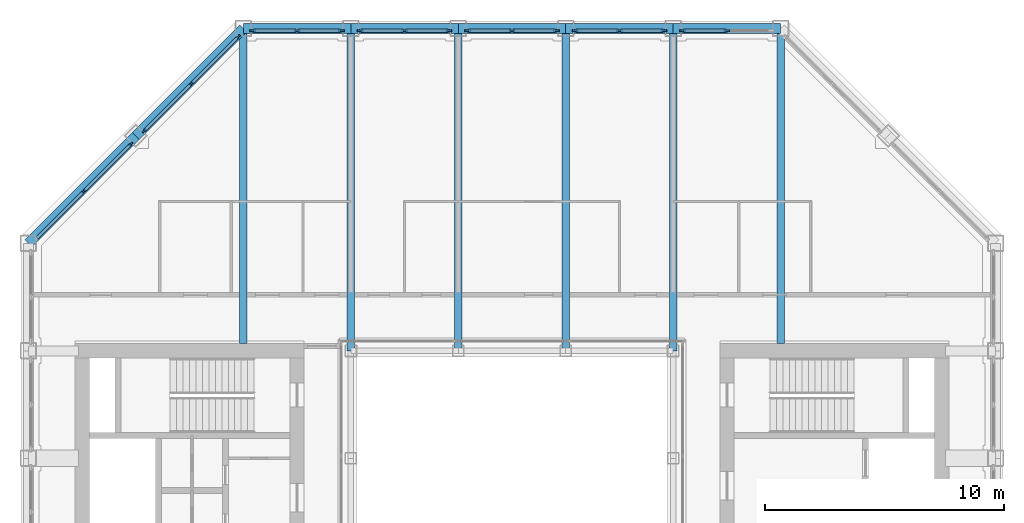
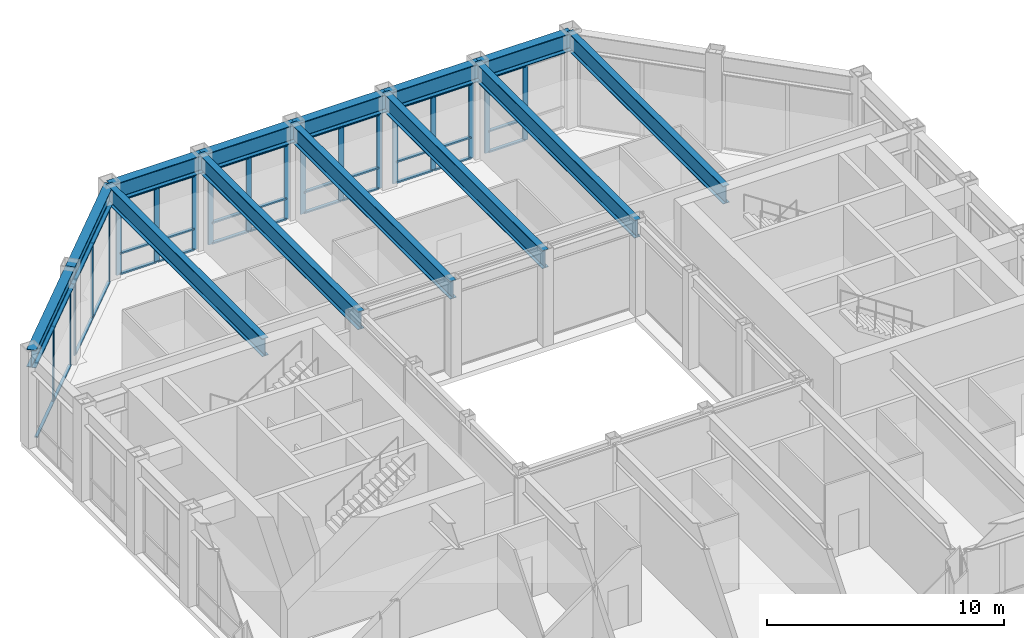
# One storey, part 7 of 15: 54 members, 13 beams, 7 elements without a shape of their own.
"""IFC4 building model written with IfcOpenShell, lengths in metres."""

from ifc_helpers import new_model, si_unit, direction, frame, origin, origin_2d, place, context, subcontext, project, spatial, rectangle, i_section, extrude, material, material_profile, profile_set, type_object, element, aggregate, save


model = new_model("IFC4")

# Units and contexts
model_context = context("Model", 3, precision=1e-05, world=origin(), true_north=direction((0.0, 1.0)))
body_context = subcontext(model_context, "Body", "Model", "MODEL_VIEW")
ifc_project = project(units=[si_unit("LENGTHUNIT", "METRE"), si_unit("AREAUNIT", "SQUARE_METRE"), si_unit("VOLUMEUNIT", "CUBIC_METRE"), si_unit("PLANEANGLEUNIT", "RADIAN"), si_unit("MASSUNIT", "GRAM", prefix="KILO")], contexts=[model_context])

# Site, building, storey
site_placement = place(None, origin())
site = spatial("IfcSite", under=ifc_project, at=site_placement, CompositionType="ELEMENT")
building_placement = place(site_placement, origin())
building = spatial("IfcBuilding", under=site, at=building_placement, Name="Msasa Ring Tower", CompositionType="ELEMENT")
storey_placement = place(building_placement, frame((0.0, 0.0, 195.800048828125)))
storey = spatial("IfcBuildingStorey", under=building, at=storey_placement, Name="L51", CompositionType="ELEMENT", Elevation=195.800048828125)

# Curtain wall, members
ifc_material_1 = material(Name="Aluminium curtain wall with clear glass", Category="aluminium")
curtain_wall_type_1 = type_object("IfcCurtainWallType", Name="CW-C CHAMFER CORNER CURTAIN WALL", PredefinedType="NOTDEFINED", material=ifc_material_1)
curtain_wall_1_placement = place(storey_placement, origin())
curtain_wall_1 = element("IfcCurtainWall", 1, at=curtain_wall_1_placement, inside=storey, type_object=curtain_wall_type_1, Name="Chamfer corner curtain wall NW L51", PredefinedType="NOTDEFINED")
ifc_material_2 = material(Name="Aluminium mullion", Category="aluminium")
ifc_material_profile_1 = material_profile(ifc_material_2, rectangle(XDim=0.06494140625, YDim=0.179931640625, at=origin_2d()), Name="AL 65x180")
ifc_profile_set_1 = profile_set([ifc_material_profile_1], Name="Aluminium mullion")
member_type_1 = type_object("IfcMemberType", Name="CW-C MULLION 65x180", PredefinedType="MULLION", material=ifc_profile_set_1)
member_1_placement = place(storey_placement, frame((-15.953369140625, 15.4052734375, 0.0), z_axis=(0.0, 0.0, 1.0), x_axis=(0.707106781187, -0.707106781187, 0.0)))
member_1 = element("IfcMember", 2, at=member_1_placement, type_object=member_type_1, Name="CW-C mullion 1", PredefinedType="MULLION", context=body_context, shape_type="SweptSolid", body=[
    extrude(rectangle(XDim=0.06494140625, YDim=0.179931640625, at=origin_2d()), origin(), (0.0, 0.0, 1.0), 3.87890625),
])
member_2_placement = place(storey_placement, frame((-17.92919921875, 13.42919921875, 0.0), z_axis=(0.0, 0.0, 1.0), x_axis=(0.707106781187, -0.707106781187, 0.0)))
member_2 = element("IfcMember", 3, at=member_2_placement, type_object=member_type_1, Name="CW-C mullion 2", PredefinedType="MULLION", context=body_context, shape_type="SweptSolid", body=[
    extrude(rectangle(XDim=0.06494140625, YDim=0.179931640625, at=origin_2d()), origin(), (0.0, 0.0, 1.0), 3.87890625),
])

curtain_wall_2_placement = place(storey_placement, origin())
curtain_wall_2 = element("IfcCurtainWall", 4, at=curtain_wall_2_placement, inside=storey, type_object=curtain_wall_type_1, Name="Chamfer corner curtain wall NW L51", PredefinedType="NOTDEFINED")
member_3_placement = place(storey_placement, frame((-11.453369140625, 19.9052734375, 0.0), z_axis=(0.0, 0.0, 1.0), x_axis=(0.707106781187, -0.707106781187, 0.0)))
member_3 = element("IfcMember", 5, at=member_3_placement, type_object=member_type_1, Name="CW-C mullion 1", PredefinedType="MULLION", context=body_context, shape_type="SweptSolid", body=[
    extrude(rectangle(XDim=0.06494140625, YDim=0.179931640625, at=origin_2d()), origin(), (0.0, 0.0, 1.0), 3.87890625),
])
member_4_placement = place(storey_placement, frame((-13.42919921875, 17.92919921875, 0.0), z_axis=(0.0, 0.0, 1.0), x_axis=(0.707106781187, -0.707106781187, 0.0)))
member_4 = element("IfcMember", 6, at=member_4_placement, type_object=member_type_1, Name="CW-C mullion 2", PredefinedType="MULLION", context=body_context, shape_type="SweptSolid", body=[
    extrude(rectangle(XDim=0.06494140625, YDim=0.179931640625, at=origin_2d()), origin(), (0.0, 0.0, 1.0), 3.87890625),
])
member_5_placement = place(storey_placement, frame((-15.4052734375, 15.953369140625, 0.0), z_axis=(0.0, 0.0, 1.0), x_axis=(0.707106781187, -0.707106781187, 0.0)))
member_5 = element("IfcMember", 7, at=member_5_placement, type_object=member_type_1, Name="CW-C mullion 3", PredefinedType="MULLION", context=body_context, shape_type="SweptSolid", body=[
    extrude(rectangle(XDim=0.06494140625, YDim=0.179931640625, at=origin_2d()), origin(), (0.0, 0.0, 1.0), 3.87890625),
])

# Member
ifc_material_3 = material(Name="Aluminium transom", Category="aluminium")
ifc_material_profile_2 = material_profile(ifc_material_3, rectangle(XDim=0.139892578125, YDim=0.06494140625, at=origin_2d()), Name="AL 65x140")
ifc_profile_set_2 = profile_set([ifc_material_profile_2], Name="Aluminium transom")
member_type_2 = type_object("IfcMemberType", Name="CW-C TRANSOM 65x140", PredefinedType="USERDEFINED", material=ifc_profile_set_2)
member_6_placement = place(storey_placement, frame((-15.976318359375, 15.38232421875, 0.032470703125), z_axis=(-0.707106781187, -0.707106781187, 0.0), x_axis=(0.707106781187, -0.707106781187, 0.0)))
member_6 = element("IfcMember", 8, at=member_6_placement, type_object=member_type_2, Name="CW-C transom 1.1", ObjectType="TRANSOM", PredefinedType="USERDEFINED", context=body_context, shape_type="SweptSolid", body=[
    extrude(rectangle(XDim=0.139892578125, YDim=0.06494140625, at=origin_2d()), origin(), (0.0, 0.0, 1.0), 2.729248046875),
])

member_7_placement = place(storey_placement, frame((-15.976318359375, 15.38232421875, 3.846435546875), z_axis=(-0.707106781187, -0.707106781187, 0.0), x_axis=(0.707106781187, -0.707106781187, 0.0)))
member_7 = element("IfcMember", 9, at=member_7_placement, type_object=member_type_2, Name="CW-C transom 1.2", ObjectType="TRANSOM", PredefinedType="USERDEFINED", context=body_context, shape_type="SweptSolid", body=[
    extrude(rectangle(XDim=0.139892578125, YDim=0.06494140625, at=origin_2d()), origin(), (0.0, 0.0, 1.0), 2.729248046875),
])

member_8_placement = place(storey_placement, frame((-17.952392578125, 13.40625, 0.032470703125), z_axis=(-0.707106781187, -0.707106781187, 0.0), x_axis=(0.707106781187, -0.707106781187, 0.0)))
member_8 = element("IfcMember", 10, at=member_8_placement, type_object=member_type_2, Name="CW-C transom 2.1", ObjectType="TRANSOM", PredefinedType="USERDEFINED", context=body_context, shape_type="SweptSolid", body=[
    extrude(rectangle(XDim=0.139892578125, YDim=0.06494140625, at=origin_2d()), origin(), (0.0, 0.0, 1.0), 2.729248046875),
])

member_9_placement = place(storey_placement, frame((-17.952392578125, 13.40625, 3.846435546875), z_axis=(-0.707106781187, -0.707106781187, 0.0), x_axis=(0.707106781187, -0.707106781187, 0.0)))
member_9 = element("IfcMember", 11, at=member_9_placement, type_object=member_type_2, Name="CW-C transom 2.2", ObjectType="TRANSOM", PredefinedType="USERDEFINED", context=body_context, shape_type="SweptSolid", body=[
    extrude(rectangle(XDim=0.139892578125, YDim=0.06494140625, at=origin_2d()), origin(), (0.0, 0.0, 1.0), 2.729248046875),
])

aggregate(curtain_wall_1, [member_1, member_2, member_6, member_7, member_8, member_9])

member_10_placement = place(storey_placement, frame((-11.476318359375, 19.88232421875, 0.032470703125), z_axis=(-0.707106781187, -0.707106781187, 0.0), x_axis=(0.707106781187, -0.707106781187, 0.0)))
member_10 = element("IfcMember", 12, at=member_10_placement, type_object=member_type_2, Name="CW-C transom 1.1", ObjectType="TRANSOM", PredefinedType="USERDEFINED", context=body_context, shape_type="SweptSolid", body=[
    extrude(rectangle(XDim=0.139892578125, YDim=0.06494140625, at=origin_2d()), origin(), (0.0, 0.0, 1.0), 2.729248046875),
])

member_11_placement = place(storey_placement, frame((-11.476318359375, 19.88232421875, 3.846435546875), z_axis=(-0.707106781187, -0.707106781187, 0.0), x_axis=(0.707106781187, -0.707106781187, 0.0)))
member_11 = element("IfcMember", 13, at=member_11_placement, type_object=member_type_2, Name="CW-C transom 1.2", ObjectType="TRANSOM", PredefinedType="USERDEFINED", context=body_context, shape_type="SweptSolid", body=[
    extrude(rectangle(XDim=0.139892578125, YDim=0.06494140625, at=origin_2d()), origin(), (0.0, 0.0, 1.0), 2.729248046875),
])

member_12_placement = place(storey_placement, frame((-13.452392578125, 17.90625, 0.032470703125), z_axis=(-0.707106781187, -0.707106781187, 0.0), x_axis=(0.707106781187, -0.707106781187, 0.0)))
member_12 = element("IfcMember", 14, at=member_12_placement, type_object=member_type_2, Name="CW-C transom 2.1", ObjectType="TRANSOM", PredefinedType="USERDEFINED", context=body_context, shape_type="SweptSolid", body=[
    extrude(rectangle(XDim=0.139892578125, YDim=0.06494140625, at=origin_2d()), origin(), (0.0, 0.0, 1.0), 2.729248046875),
])

member_13_placement = place(storey_placement, frame((-13.452392578125, 17.90625, 3.846435546875), z_axis=(-0.707106781187, -0.707106781187, 0.0), x_axis=(0.707106781187, -0.707106781187, 0.0)))
member_13 = element("IfcMember", 15, at=member_13_placement, type_object=member_type_2, Name="CW-C transom 2.2", ObjectType="TRANSOM", PredefinedType="USERDEFINED", context=body_context, shape_type="SweptSolid", body=[
    extrude(rectangle(XDim=0.139892578125, YDim=0.06494140625, at=origin_2d()), origin(), (0.0, 0.0, 1.0), 2.729248046875),
])

aggregate(curtain_wall_2, [member_3, member_4, member_5, member_10, member_11, member_12, member_13])

# Curtain wall, members
ifc_material_4 = material(Name="Aluminium curtain wall with clear glass", Category="aluminium")
curtain_wall_type_2 = type_object("IfcCurtainWallType", Name="CW-S SKY LOBBY CURTAIN WALL", PredefinedType="NOTDEFINED", material=ifc_material_4)
curtain_wall_3_placement = place(storey_placement, origin())
curtain_wall_3 = element("IfcCurtainWall", 16, at=curtain_wall_3_placement, inside=storey, type_object=curtain_wall_type_2, Name="Sky lobby curtain wall N L51", PredefinedType="NOTDEFINED")
ifc_material_5 = material(Name="Aluminium mullion", Category="aluminium")
ifc_material_profile_3 = material_profile(ifc_material_5, rectangle(XDim=0.074951171875, YDim=0.25, at=origin_2d()), Name="AL 75x250")
ifc_profile_set_3 = profile_set([ifc_material_profile_3], Name="Aluminium mullion")
member_type_3 = type_object("IfcMemberType", Name="CW-S MULLION 75x250", PredefinedType="MULLION", material=ifc_profile_set_3)
member_14_placement = place(storey_placement, frame((-10.857421875, 20.14990234375, 0.0), z_axis=(0.0, 0.0, 1.0), x_axis=(0.0, 1.0, 0.0)))
member_14 = element("IfcMember", 17, at=member_14_placement, type_object=member_type_3, Name="CW-S mullion 1", PredefinedType="MULLION", context=body_context, shape_type="SweptSolid", body=[
    extrude(rectangle(XDim=0.074951171875, YDim=0.25, at=origin_2d()), origin(), (0.0, 0.0, 1.0), 3.87890625),
])
member_15_placement = place(storey_placement, frame((-9.0, 20.14990234375, 0.0), z_axis=(0.0, 0.0, 1.0), x_axis=(0.0, 1.0, 0.0)))
member_15 = element("IfcMember", 18, at=member_15_placement, type_object=member_type_3, Name="CW-S mullion 2", PredefinedType="MULLION", context=body_context, shape_type="SweptSolid", body=[
    extrude(rectangle(XDim=0.074951171875, YDim=0.25, at=origin_2d()), origin(), (0.0, 0.0, 1.0), 3.87890625),
])
member_16_placement = place(storey_placement, frame((-7.142578125, 20.14990234375, 0.0), z_axis=(0.0, 0.0, 1.0), x_axis=(0.0, 1.0, 0.0)))
member_16 = element("IfcMember", 19, at=member_16_placement, type_object=member_type_3, Name="CW-S mullion 3", PredefinedType="MULLION", context=body_context, shape_type="SweptSolid", body=[
    extrude(rectangle(XDim=0.074951171875, YDim=0.25, at=origin_2d()), origin(), (0.0, 0.0, 1.0), 3.87890625),
])

curtain_wall_4_placement = place(storey_placement, origin())
curtain_wall_4 = element("IfcCurtainWall", 20, at=curtain_wall_4_placement, inside=storey, type_object=curtain_wall_type_2, Name="Sky lobby curtain wall N L51", PredefinedType="NOTDEFINED")
member_17_placement = place(storey_placement, frame((-6.357421875, 20.14990234375, 0.0), z_axis=(0.0, 0.0, 1.0), x_axis=(0.0, 1.0, 0.0)))
member_17 = element("IfcMember", 21, at=member_17_placement, type_object=member_type_3, Name="CW-S mullion 1", PredefinedType="MULLION", context=body_context, shape_type="SweptSolid", body=[
    extrude(rectangle(XDim=0.074951171875, YDim=0.25, at=origin_2d()), origin(), (0.0, 0.0, 1.0), 3.87890625),
])
member_18_placement = place(storey_placement, frame((-4.5, 20.14990234375, 0.0), z_axis=(0.0, 0.0, 1.0), x_axis=(0.0, 1.0, 0.0)))
member_18 = element("IfcMember", 22, at=member_18_placement, type_object=member_type_3, Name="CW-S mullion 2", PredefinedType="MULLION", context=body_context, shape_type="SweptSolid", body=[
    extrude(rectangle(XDim=0.074951171875, YDim=0.25, at=origin_2d()), origin(), (0.0, 0.0, 1.0), 3.87890625),
])
member_19_placement = place(storey_placement, frame((-2.642578125, 20.14990234375, 0.0), z_axis=(0.0, 0.0, 1.0), x_axis=(0.0, 1.0, 0.0)))
member_19 = element("IfcMember", 23, at=member_19_placement, type_object=member_type_3, Name="CW-S mullion 3", PredefinedType="MULLION", context=body_context, shape_type="SweptSolid", body=[
    extrude(rectangle(XDim=0.074951171875, YDim=0.25, at=origin_2d()), origin(), (0.0, 0.0, 1.0), 3.87890625),
])

curtain_wall_5_placement = place(storey_placement, origin())
curtain_wall_5 = element("IfcCurtainWall", 24, at=curtain_wall_5_placement, inside=storey, type_object=curtain_wall_type_2, Name="Sky lobby curtain wall N L51", PredefinedType="NOTDEFINED")
member_20_placement = place(storey_placement, frame((-1.857421875, 20.14990234375, 0.0), z_axis=(0.0, 0.0, 1.0), x_axis=(0.0, 1.0, 0.0)))
member_20 = element("IfcMember", 25, at=member_20_placement, type_object=member_type_3, Name="CW-S mullion 1", PredefinedType="MULLION", context=body_context, shape_type="SweptSolid", body=[
    extrude(rectangle(XDim=0.074951171875, YDim=0.25, at=origin_2d()), origin(), (0.0, 0.0, 1.0), 3.87890625),
])
member_21_placement = place(storey_placement, frame((0.0, 20.14990234375, 0.0), z_axis=(0.0, 0.0, 1.0), x_axis=(0.0, 1.0, 0.0)))
member_21 = element("IfcMember", 26, at=member_21_placement, type_object=member_type_3, Name="CW-S mullion 2", PredefinedType="MULLION", context=body_context, shape_type="SweptSolid", body=[
    extrude(rectangle(XDim=0.074951171875, YDim=0.25, at=origin_2d()), origin(), (0.0, 0.0, 1.0), 3.87890625),
])
member_22_placement = place(storey_placement, frame((1.857421875, 20.14990234375, 0.0), z_axis=(0.0, 0.0, 1.0), x_axis=(0.0, 1.0, 0.0)))
member_22 = element("IfcMember", 27, at=member_22_placement, type_object=member_type_3, Name="CW-S mullion 3", PredefinedType="MULLION", context=body_context, shape_type="SweptSolid", body=[
    extrude(rectangle(XDim=0.074951171875, YDim=0.25, at=origin_2d()), origin(), (0.0, 0.0, 1.0), 3.87890625),
])

curtain_wall_6_placement = place(storey_placement, origin())
curtain_wall_6 = element("IfcCurtainWall", 28, at=curtain_wall_6_placement, inside=storey, type_object=curtain_wall_type_2, Name="Sky lobby curtain wall N L51", PredefinedType="NOTDEFINED")
member_23_placement = place(storey_placement, frame((2.642578125, 20.14990234375, 0.0), z_axis=(0.0, 0.0, 1.0), x_axis=(0.0, 1.0, 0.0)))
member_23 = element("IfcMember", 29, at=member_23_placement, type_object=member_type_3, Name="CW-S mullion 1", PredefinedType="MULLION", context=body_context, shape_type="SweptSolid", body=[
    extrude(rectangle(XDim=0.074951171875, YDim=0.25, at=origin_2d()), origin(), (0.0, 0.0, 1.0), 3.87890625),
])
member_24_placement = place(storey_placement, frame((4.5, 20.14990234375, 0.0), z_axis=(0.0, 0.0, 1.0), x_axis=(0.0, 1.0, 0.0)))
member_24 = element("IfcMember", 30, at=member_24_placement, type_object=member_type_3, Name="CW-S mullion 2", PredefinedType="MULLION", context=body_context, shape_type="SweptSolid", body=[
    extrude(rectangle(XDim=0.074951171875, YDim=0.25, at=origin_2d()), origin(), (0.0, 0.0, 1.0), 3.87890625),
])
member_25_placement = place(storey_placement, frame((6.357421875, 20.14990234375, 0.0), z_axis=(0.0, 0.0, 1.0), x_axis=(0.0, 1.0, 0.0)))
member_25 = element("IfcMember", 31, at=member_25_placement, type_object=member_type_3, Name="CW-S mullion 3", PredefinedType="MULLION", context=body_context, shape_type="SweptSolid", body=[
    extrude(rectangle(XDim=0.074951171875, YDim=0.25, at=origin_2d()), origin(), (0.0, 0.0, 1.0), 3.87890625),
])

curtain_wall_7_placement = place(storey_placement, origin())
curtain_wall_7 = element("IfcCurtainWall", 32, at=curtain_wall_7_placement, inside=storey, type_object=curtain_wall_type_2, Name="Sky lobby curtain wall N L51", PredefinedType="NOTDEFINED")
member_26_placement = place(storey_placement, frame((7.142578125, 20.14990234375, 0.0), z_axis=(0.0, 0.0, 1.0), x_axis=(0.0, 1.0, 0.0)))
member_26 = element("IfcMember", 33, at=member_26_placement, type_object=member_type_3, Name="CW-S mullion 1", PredefinedType="MULLION", context=body_context, shape_type="SweptSolid", body=[
    extrude(rectangle(XDim=0.074951171875, YDim=0.25, at=origin_2d()), origin(), (0.0, 0.0, 1.0), 3.87890625),
])
member_27_placement = place(storey_placement, frame((9.0, 20.14990234375, 0.0), z_axis=(0.0, 0.0, 1.0), x_axis=(0.0, 1.0, 0.0)))
member_27 = element("IfcMember", 34, at=member_27_placement, type_object=member_type_3, Name="CW-S mullion 2", PredefinedType="MULLION", context=body_context, shape_type="SweptSolid", body=[
    extrude(rectangle(XDim=0.074951171875, YDim=0.25, at=origin_2d()), origin(), (0.0, 0.0, 1.0), 3.87890625),
])

# Member
ifc_material_6 = material(Name="Aluminium transom", Category="aluminium")
ifc_material_profile_4 = material_profile(ifc_material_6, rectangle(XDim=0.159912109375, YDim=0.074951171875, at=origin_2d()), Name="AL 75x160")
ifc_profile_set_4 = profile_set([ifc_material_profile_4], Name="Aluminium transom")
member_type_4 = type_object("IfcMemberType", Name="CW-S TRANSOM 75x160", PredefinedType="USERDEFINED", material=ifc_profile_set_4)
member_28_placement = place(storey_placement, frame((-10.820068359375, 20.14990234375, 0.037353515625), z_axis=(1.0, 0.0, 0.0), x_axis=(0.0, 1.0, 0.0)))
member_28 = element("IfcMember", 35, at=member_28_placement, type_object=member_type_4, Name="CW-S transom 1.1", ObjectType="TRANSOM", PredefinedType="USERDEFINED", context=body_context, shape_type="SweptSolid", body=[
    extrude(rectangle(XDim=0.159912109375, YDim=0.074951171875, at=origin_2d()), origin(), (0.0, 0.0, 1.0), 1.782470703125),
])

member_29_placement = place(storey_placement, frame((-10.820068359375, 20.14990234375, 1.099853515625), z_axis=(1.0, 0.0, 0.0), x_axis=(0.0, 1.0, 0.0)))
member_29 = element("IfcMember", 36, at=member_29_placement, type_object=member_type_4, Name="CW-S transom 1.2", ObjectType="TRANSOM", PredefinedType="USERDEFINED", context=body_context, shape_type="SweptSolid", body=[
    extrude(rectangle(XDim=0.159912109375, YDim=0.074951171875, at=origin_2d()), origin(), (0.0, 0.0, 1.0), 1.782470703125),
])

member_30_placement = place(storey_placement, frame((-10.820068359375, 20.14990234375, 3.841552734375), z_axis=(1.0, 0.0, 0.0), x_axis=(0.0, 1.0, 0.0)))
member_30 = element("IfcMember", 37, at=member_30_placement, type_object=member_type_4, Name="CW-S transom 1.3", ObjectType="TRANSOM", PredefinedType="USERDEFINED", context=body_context, shape_type="SweptSolid", body=[
    extrude(rectangle(XDim=0.159912109375, YDim=0.074951171875, at=origin_2d()), origin(), (0.0, 0.0, 1.0), 1.782470703125),
])

member_31_placement = place(storey_placement, frame((-8.96240234375, 20.14990234375, 0.037353515625), z_axis=(1.0, 0.0, 0.0), x_axis=(0.0, 1.0, 0.0)))
member_31 = element("IfcMember", 38, at=member_31_placement, type_object=member_type_4, Name="CW-S transom 2.1", ObjectType="TRANSOM", PredefinedType="USERDEFINED", context=body_context, shape_type="SweptSolid", body=[
    extrude(rectangle(XDim=0.159912109375, YDim=0.074951171875, at=origin_2d()), origin(), (0.0, 0.0, 1.0), 1.782470703125),
])

member_32_placement = place(storey_placement, frame((-8.96240234375, 20.14990234375, 1.099853515625), z_axis=(1.0, 0.0, 0.0), x_axis=(0.0, 1.0, 0.0)))
member_32 = element("IfcMember", 39, at=member_32_placement, type_object=member_type_4, Name="CW-S transom 2.2", ObjectType="TRANSOM", PredefinedType="USERDEFINED", context=body_context, shape_type="SweptSolid", body=[
    extrude(rectangle(XDim=0.159912109375, YDim=0.074951171875, at=origin_2d()), origin(), (0.0, 0.0, 1.0), 1.782470703125),
])

member_33_placement = place(storey_placement, frame((-8.96240234375, 20.14990234375, 3.841552734375), z_axis=(1.0, 0.0, 0.0), x_axis=(0.0, 1.0, 0.0)))
member_33 = element("IfcMember", 40, at=member_33_placement, type_object=member_type_4, Name="CW-S transom 2.3", ObjectType="TRANSOM", PredefinedType="USERDEFINED", context=body_context, shape_type="SweptSolid", body=[
    extrude(rectangle(XDim=0.159912109375, YDim=0.074951171875, at=origin_2d()), origin(), (0.0, 0.0, 1.0), 1.782470703125),
])

aggregate(curtain_wall_3, [member_14, member_15, member_16, member_28, member_29, member_30, member_31, member_32, member_33])

member_34_placement = place(storey_placement, frame((-6.320068359375, 20.14990234375, 0.037353515625), z_axis=(1.0, 0.0, 0.0), x_axis=(0.0, 1.0, 0.0)))
member_34 = element("IfcMember", 41, at=member_34_placement, type_object=member_type_4, Name="CW-S transom 1.1", ObjectType="TRANSOM", PredefinedType="USERDEFINED", context=body_context, shape_type="SweptSolid", body=[
    extrude(rectangle(XDim=0.159912109375, YDim=0.074951171875, at=origin_2d()), origin(), (0.0, 0.0, 1.0), 1.782470703125),
])

member_35_placement = place(storey_placement, frame((-6.320068359375, 20.14990234375, 1.099853515625), z_axis=(1.0, 0.0, 0.0), x_axis=(0.0, 1.0, 0.0)))
member_35 = element("IfcMember", 42, at=member_35_placement, type_object=member_type_4, Name="CW-S transom 1.2", ObjectType="TRANSOM", PredefinedType="USERDEFINED", context=body_context, shape_type="SweptSolid", body=[
    extrude(rectangle(XDim=0.159912109375, YDim=0.074951171875, at=origin_2d()), origin(), (0.0, 0.0, 1.0), 1.782470703125),
])

member_36_placement = place(storey_placement, frame((-6.320068359375, 20.14990234375, 3.841552734375), z_axis=(1.0, 0.0, 0.0), x_axis=(0.0, 1.0, 0.0)))
member_36 = element("IfcMember", 43, at=member_36_placement, type_object=member_type_4, Name="CW-S transom 1.3", ObjectType="TRANSOM", PredefinedType="USERDEFINED", context=body_context, shape_type="SweptSolid", body=[
    extrude(rectangle(XDim=0.159912109375, YDim=0.074951171875, at=origin_2d()), origin(), (0.0, 0.0, 1.0), 1.782470703125),
])

member_37_placement = place(storey_placement, frame((-4.46240234375, 20.14990234375, 0.037353515625), z_axis=(1.0, 0.0, 0.0), x_axis=(0.0, 1.0, 0.0)))
member_37 = element("IfcMember", 44, at=member_37_placement, type_object=member_type_4, Name="CW-S transom 2.1", ObjectType="TRANSOM", PredefinedType="USERDEFINED", context=body_context, shape_type="SweptSolid", body=[
    extrude(rectangle(XDim=0.159912109375, YDim=0.074951171875, at=origin_2d()), origin(), (0.0, 0.0, 1.0), 1.782470703125),
])

member_38_placement = place(storey_placement, frame((-4.46240234375, 20.14990234375, 1.099853515625), z_axis=(1.0, 0.0, 0.0), x_axis=(0.0, 1.0, 0.0)))
member_38 = element("IfcMember", 45, at=member_38_placement, type_object=member_type_4, Name="CW-S transom 2.2", ObjectType="TRANSOM", PredefinedType="USERDEFINED", context=body_context, shape_type="SweptSolid", body=[
    extrude(rectangle(XDim=0.159912109375, YDim=0.074951171875, at=origin_2d()), origin(), (0.0, 0.0, 1.0), 1.782470703125),
])

member_39_placement = place(storey_placement, frame((-4.46240234375, 20.14990234375, 3.841552734375), z_axis=(1.0, 0.0, 0.0), x_axis=(0.0, 1.0, 0.0)))
member_39 = element("IfcMember", 46, at=member_39_placement, type_object=member_type_4, Name="CW-S transom 2.3", ObjectType="TRANSOM", PredefinedType="USERDEFINED", context=body_context, shape_type="SweptSolid", body=[
    extrude(rectangle(XDim=0.159912109375, YDim=0.074951171875, at=origin_2d()), origin(), (0.0, 0.0, 1.0), 1.782470703125),
])

aggregate(curtain_wall_4, [member_17, member_18, member_19, member_34, member_35, member_36, member_37, member_38, member_39])

member_40_placement = place(storey_placement, frame((-1.820068359375, 20.14990234375, 0.037353515625), z_axis=(1.0, 0.0, 0.0), x_axis=(0.0, 1.0, 0.0)))
member_40 = element("IfcMember", 47, at=member_40_placement, type_object=member_type_4, Name="CW-S transom 1.1", ObjectType="TRANSOM", PredefinedType="USERDEFINED", context=body_context, shape_type="SweptSolid", body=[
    extrude(rectangle(XDim=0.159912109375, YDim=0.074951171875, at=origin_2d()), origin(), (0.0, 0.0, 1.0), 1.782470703125),
])

member_41_placement = place(storey_placement, frame((-1.820068359375, 20.14990234375, 1.099853515625), z_axis=(1.0, 0.0, 0.0), x_axis=(0.0, 1.0, 0.0)))
member_41 = element("IfcMember", 48, at=member_41_placement, type_object=member_type_4, Name="CW-S transom 1.2", ObjectType="TRANSOM", PredefinedType="USERDEFINED", context=body_context, shape_type="SweptSolid", body=[
    extrude(rectangle(XDim=0.159912109375, YDim=0.074951171875, at=origin_2d()), origin(), (0.0, 0.0, 1.0), 1.782470703125),
])

member_42_placement = place(storey_placement, frame((-1.820068359375, 20.14990234375, 3.841552734375), z_axis=(1.0, 0.0, 0.0), x_axis=(0.0, 1.0, 0.0)))
member_42 = element("IfcMember", 49, at=member_42_placement, type_object=member_type_4, Name="CW-S transom 1.3", ObjectType="TRANSOM", PredefinedType="USERDEFINED", context=body_context, shape_type="SweptSolid", body=[
    extrude(rectangle(XDim=0.159912109375, YDim=0.074951171875, at=origin_2d()), origin(), (0.0, 0.0, 1.0), 1.782470703125),
])

member_43_placement = place(storey_placement, frame((0.03759765625, 20.14990234375, 0.037353515625), z_axis=(1.0, 0.0, 0.0), x_axis=(0.0, 1.0, 0.0)))
member_43 = element("IfcMember", 50, at=member_43_placement, type_object=member_type_4, Name="CW-S transom 2.1", ObjectType="TRANSOM", PredefinedType="USERDEFINED", context=body_context, shape_type="SweptSolid", body=[
    extrude(rectangle(XDim=0.159912109375, YDim=0.074951171875, at=origin_2d()), origin(), (0.0, 0.0, 1.0), 1.782470703125),
])

member_44_placement = place(storey_placement, frame((0.03759765625, 20.14990234375, 1.099853515625), z_axis=(1.0, 0.0, 0.0), x_axis=(0.0, 1.0, 0.0)))
member_44 = element("IfcMember", 51, at=member_44_placement, type_object=member_type_4, Name="CW-S transom 2.2", ObjectType="TRANSOM", PredefinedType="USERDEFINED", context=body_context, shape_type="SweptSolid", body=[
    extrude(rectangle(XDim=0.159912109375, YDim=0.074951171875, at=origin_2d()), origin(), (0.0, 0.0, 1.0), 1.782470703125),
])

member_45_placement = place(storey_placement, frame((0.03759765625, 20.14990234375, 3.841552734375), z_axis=(1.0, 0.0, 0.0), x_axis=(0.0, 1.0, 0.0)))
member_45 = element("IfcMember", 52, at=member_45_placement, type_object=member_type_4, Name="CW-S transom 2.3", ObjectType="TRANSOM", PredefinedType="USERDEFINED", context=body_context, shape_type="SweptSolid", body=[
    extrude(rectangle(XDim=0.159912109375, YDim=0.074951171875, at=origin_2d()), origin(), (0.0, 0.0, 1.0), 1.782470703125),
])

aggregate(curtain_wall_5, [member_20, member_21, member_22, member_40, member_41, member_42, member_43, member_44, member_45])

member_46_placement = place(storey_placement, frame((2.679931640625, 20.14990234375, 0.037353515625), z_axis=(1.0, 0.0, 0.0), x_axis=(0.0, 1.0, 0.0)))
member_46 = element("IfcMember", 53, at=member_46_placement, type_object=member_type_4, Name="CW-S transom 1.1", ObjectType="TRANSOM", PredefinedType="USERDEFINED", context=body_context, shape_type="SweptSolid", body=[
    extrude(rectangle(XDim=0.159912109375, YDim=0.074951171875, at=origin_2d()), origin(), (0.0, 0.0, 1.0), 1.782470703125),
])

member_47_placement = place(storey_placement, frame((2.679931640625, 20.14990234375, 1.099853515625), z_axis=(1.0, 0.0, 0.0), x_axis=(0.0, 1.0, 0.0)))
member_47 = element("IfcMember", 54, at=member_47_placement, type_object=member_type_4, Name="CW-S transom 1.2", ObjectType="TRANSOM", PredefinedType="USERDEFINED", context=body_context, shape_type="SweptSolid", body=[
    extrude(rectangle(XDim=0.159912109375, YDim=0.074951171875, at=origin_2d()), origin(), (0.0, 0.0, 1.0), 1.782470703125),
])

member_48_placement = place(storey_placement, frame((2.679931640625, 20.14990234375, 3.841552734375), z_axis=(1.0, 0.0, 0.0), x_axis=(0.0, 1.0, 0.0)))
member_48 = element("IfcMember", 55, at=member_48_placement, type_object=member_type_4, Name="CW-S transom 1.3", ObjectType="TRANSOM", PredefinedType="USERDEFINED", context=body_context, shape_type="SweptSolid", body=[
    extrude(rectangle(XDim=0.159912109375, YDim=0.074951171875, at=origin_2d()), origin(), (0.0, 0.0, 1.0), 1.782470703125),
])

member_49_placement = place(storey_placement, frame((4.53759765625, 20.14990234375, 0.037353515625), z_axis=(1.0, 0.0, 0.0), x_axis=(0.0, 1.0, 0.0)))
member_49 = element("IfcMember", 56, at=member_49_placement, type_object=member_type_4, Name="CW-S transom 2.1", ObjectType="TRANSOM", PredefinedType="USERDEFINED", context=body_context, shape_type="SweptSolid", body=[
    extrude(rectangle(XDim=0.159912109375, YDim=0.074951171875, at=origin_2d()), origin(), (0.0, 0.0, 1.0), 1.782470703125),
])

member_50_placement = place(storey_placement, frame((4.53759765625, 20.14990234375, 1.099853515625), z_axis=(1.0, 0.0, 0.0), x_axis=(0.0, 1.0, 0.0)))
member_50 = element("IfcMember", 57, at=member_50_placement, type_object=member_type_4, Name="CW-S transom 2.2", ObjectType="TRANSOM", PredefinedType="USERDEFINED", context=body_context, shape_type="SweptSolid", body=[
    extrude(rectangle(XDim=0.159912109375, YDim=0.074951171875, at=origin_2d()), origin(), (0.0, 0.0, 1.0), 1.782470703125),
])

member_51_placement = place(storey_placement, frame((4.53759765625, 20.14990234375, 3.841552734375), z_axis=(1.0, 0.0, 0.0), x_axis=(0.0, 1.0, 0.0)))
member_51 = element("IfcMember", 58, at=member_51_placement, type_object=member_type_4, Name="CW-S transom 2.3", ObjectType="TRANSOM", PredefinedType="USERDEFINED", context=body_context, shape_type="SweptSolid", body=[
    extrude(rectangle(XDim=0.159912109375, YDim=0.074951171875, at=origin_2d()), origin(), (0.0, 0.0, 1.0), 1.782470703125),
])

aggregate(curtain_wall_6, [member_23, member_24, member_25, member_46, member_47, member_48, member_49, member_50, member_51])

member_52_placement = place(storey_placement, frame((7.179931640625, 20.14990234375, 0.037353515625), z_axis=(1.0, 0.0, 0.0), x_axis=(0.0, 1.0, 0.0)))
member_52 = element("IfcMember", 59, at=member_52_placement, type_object=member_type_4, Name="CW-S transom 1.1", ObjectType="TRANSOM", PredefinedType="USERDEFINED", context=body_context, shape_type="SweptSolid", body=[
    extrude(rectangle(XDim=0.159912109375, YDim=0.074951171875, at=origin_2d()), origin(), (0.0, 0.0, 1.0), 1.782470703125),
])

member_53_placement = place(storey_placement, frame((7.179931640625, 20.14990234375, 1.099853515625), z_axis=(1.0, 0.0, 0.0), x_axis=(0.0, 1.0, 0.0)))
member_53 = element("IfcMember", 60, at=member_53_placement, type_object=member_type_4, Name="CW-S transom 1.2", ObjectType="TRANSOM", PredefinedType="USERDEFINED", context=body_context, shape_type="SweptSolid", body=[
    extrude(rectangle(XDim=0.159912109375, YDim=0.074951171875, at=origin_2d()), origin(), (0.0, 0.0, 1.0), 1.782470703125),
])

member_54_placement = place(storey_placement, frame((7.179931640625, 20.14990234375, 3.841552734375), z_axis=(1.0, 0.0, 0.0), x_axis=(0.0, 1.0, 0.0)))
member_54 = element("IfcMember", 61, at=member_54_placement, type_object=member_type_4, Name="CW-S transom 1.3", ObjectType="TRANSOM", PredefinedType="USERDEFINED", context=body_context, shape_type="SweptSolid", body=[
    extrude(rectangle(XDim=0.159912109375, YDim=0.074951171875, at=origin_2d()), origin(), (0.0, 0.0, 1.0), 1.782470703125),
])

aggregate(curtain_wall_7, [member_26, member_27, member_52, member_53, member_54])

# Beams
ifc_material_7 = material(Name="Steel S355", Category="steel")
ifc_material_profile_5 = material_profile(ifc_material_7, i_section(OverallWidth=0.3076171875, OverallDepth=0.926513671875, WebThickness=0.01953125, FlangeThickness=0.031982421875, FilletRadius=0.01904296875, at=origin_2d()), Name="UB 914x305x289")
ifc_profile_set_5 = profile_set([ifc_material_profile_5], Name="Steel S355")
beam_type_1 = type_object("IfcBeamType", Name="FB3 UB 914x305x289", PredefinedType="BEAM", material=ifc_profile_set_5)
beam_1_placement = place(storey_placement, frame((-11.25, 20.25, 4.336669921875), z_axis=(0.0, -1.0, 0.0), x_axis=(1.0, 0.0, 0.0)))
element("IfcBeam", 62, at=beam_1_placement, inside=storey, type_object=beam_type_1, Name="Floor beam N-11.25 under L52", PredefinedType="BEAM", context=body_context, shape_type="SweptSolid", body=[
    extrude(i_section(OverallWidth=0.3076171875, OverallDepth=0.926513671875, WebThickness=0.01953125, FlangeThickness=0.031982421875, FilletRadius=0.01904296875, at=origin_2d()), origin(), (0.0, 0.0, 1.0), 13.199951171875),
])
for number, where, z_axis, x_axis, name in (
    (63, (-6.75, 20.25, 4.336669921875), (0.0, -1.0, 0.0), (1.0, 0.0, 0.0), "Floor beam N-6.75 under L52"),
    (64, (-2.25, 20.25, 4.336669921875), (0.0, -1.0, 0.0), (1.0, 0.0, 0.0), "Floor beam N-2.25 under L52"),
    (65, (2.25, 20.25, 4.336669921875), (0.0, -1.0, 0.0), (1.0, 0.0, 0.0), "Floor beam N+2.25 under L52"),
    (66, (6.75, 20.25, 4.336669921875), (0.0, -1.0, 0.0), (1.0, 0.0, 0.0), "Floor beam N+6.75 under L52"),
):
    element("IfcBeam", number, at=place(storey_placement, frame(where, z_axis=z_axis, x_axis=x_axis)), inside=storey, type_object=beam_type_1, Name=name, PredefinedType="BEAM", context=body_context, shape_type="SweptSolid", body=[
        extrude(i_section(OverallWidth=0.3076171875, OverallDepth=0.926513671875, WebThickness=0.01953125, FlangeThickness=0.031982421875, FilletRadius=0.01904296875, at=origin_2d()), origin(), (0.0, 0.0, 1.0), 13.5),
    ])
beam_2_placement = place(storey_placement, frame((11.25, 20.25, 4.336669921875), z_axis=(0.0, -1.0, 0.0), x_axis=(1.0, 0.0, 0.0)))
element("IfcBeam", 67, at=beam_2_placement, inside=storey, type_object=beam_type_1, Name="Floor beam N+11.25 under L52", PredefinedType="BEAM", context=body_context, shape_type="SweptSolid", body=[
    extrude(i_section(OverallWidth=0.3076171875, OverallDepth=0.926513671875, WebThickness=0.01953125, FlangeThickness=0.031982421875, FilletRadius=0.01904296875, at=origin_2d()), origin(), (0.0, 0.0, 1.0), 13.199951171875),
])
ifc_material_8 = material(Name="Steel S355", Category="steel")
ifc_material_profile_6 = material_profile(ifc_material_8, i_section(OverallWidth=0.42041015625, OverallDepth=0.9208984375, WebThickness=0.021484375, FlangeThickness=0.03662109375, FilletRadius=0.024169921875, at=origin_2d()), Name="UB 914x419x388")
ifc_profile_set_6 = profile_set([ifc_material_profile_6], Name="Steel S355")
beam_type_2 = type_object("IfcBeamType", Name="SB1 UB 914x419x388", PredefinedType="SPANDREL", material=ifc_profile_set_6)
for number, where, z_axis, x_axis, name in (
    (68, (11.25, 20.25, 4.33935546875), (-1.0, 0.0, 0.0), (0.0, -1.0, 0.0), "Spandrel N+11.25 to N+6.75 under L52"),
    (69, (6.75, 20.25, 4.33935546875), (-1.0, 0.0, 0.0), (0.0, -1.0, 0.0), "Spandrel N+6.75 to N+2.25 under L52"),
    (70, (2.25, 20.25, 4.33935546875), (-1.0, 0.0, 0.0), (0.0, -1.0, 0.0), "Spandrel N+2.25 to N-2.25 under L52"),
    (71, (-2.25, 20.25, 4.33935546875), (-1.0, 0.0, 0.0), (0.0, -1.0, 0.0), "Spandrel N-2.25 to N-6.75 under L52"),
    (72, (-6.75, 20.25, 4.33935546875), (-1.0, 0.0, 0.0), (0.0, -1.0, 0.0), "Spandrel N-6.75 to N-11.25 under L52"),
):
    element("IfcBeam", number, at=place(storey_placement, frame(where, z_axis=z_axis, x_axis=x_axis)), inside=storey, type_object=beam_type_2, Name=name, PredefinedType="SPANDREL", context=body_context, shape_type="SweptSolid", body=[
        extrude(i_section(OverallWidth=0.42041015625, OverallDepth=0.9208984375, WebThickness=0.021484375, FlangeThickness=0.03662109375, FilletRadius=0.024169921875, at=origin_2d()), origin(), (0.0, 0.0, 1.0), 4.5),
    ])
for number, where, z_axis, x_axis, name in (
    (73, (-11.25, 20.25, 4.33935546875), (-0.707106781187, -0.707106781187, 0.0), (0.707106781187, -0.707106781187, 0.0), "Spandrel N-11.25 to NW under L52"),
    (74, (-15.75, 15.75, 4.33935546875), (-0.707106781187, -0.707106781187, 0.0), (0.707106781187, -0.707106781187, 0.0), "Spandrel NW to W+11.25 under L52"),
):
    element("IfcBeam", number, at=place(storey_placement, frame(where, z_axis=z_axis, x_axis=x_axis)), inside=storey, type_object=beam_type_2, Name=name, PredefinedType="SPANDREL", context=body_context, shape_type="SweptSolid", body=[
        extrude(i_section(OverallWidth=0.42041015625, OverallDepth=0.9208984375, WebThickness=0.021484375, FlangeThickness=0.03662109375, FilletRadius=0.024169921875, at=origin_2d()), origin(), (0.0, 0.0, 1.0), 6.364013671875),
    ])

save(model, "model.ifc")
